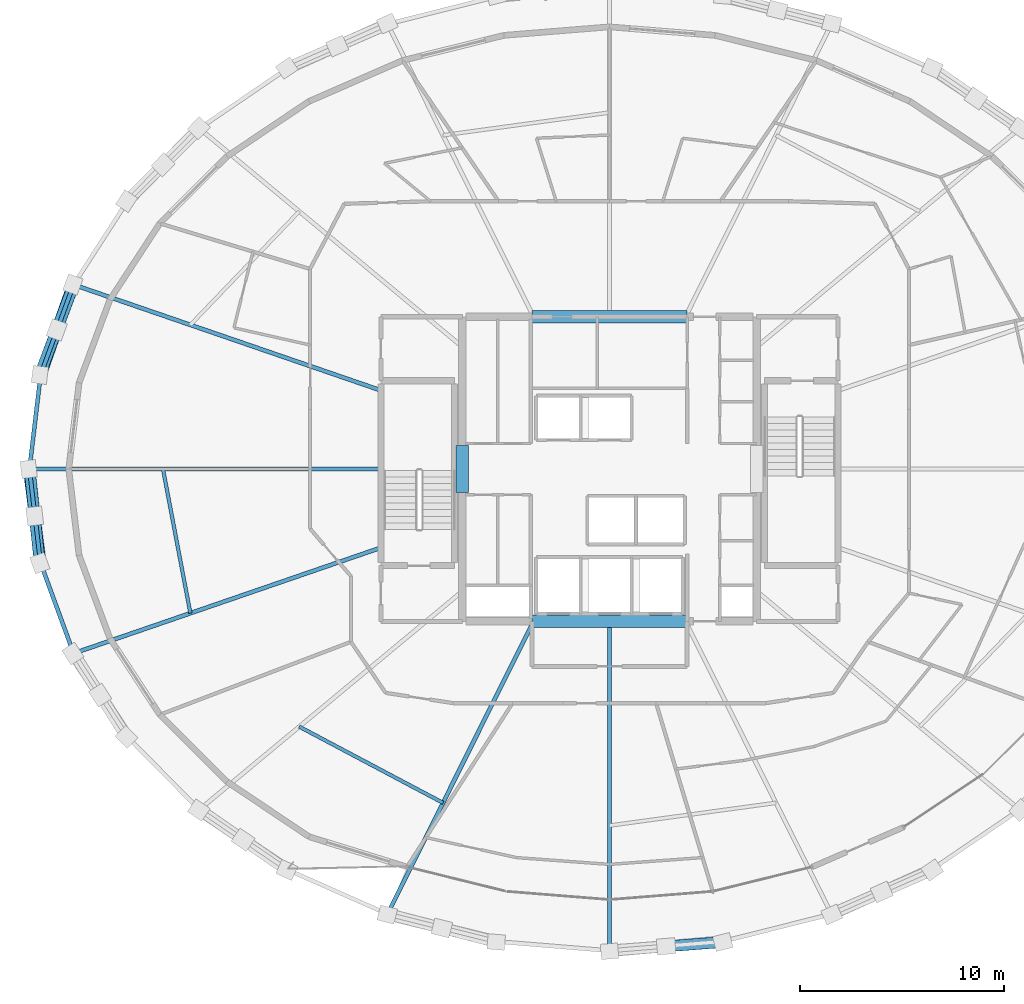
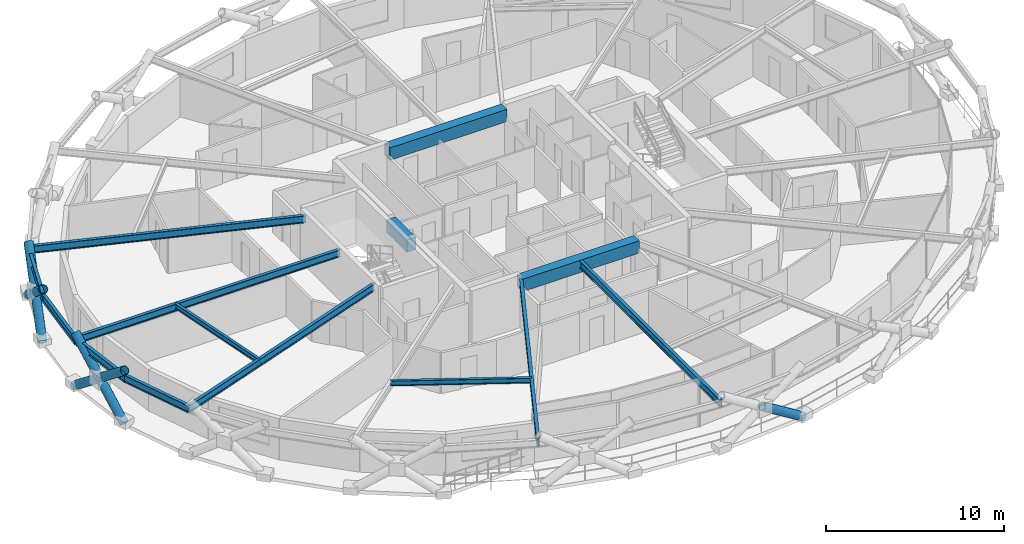
# One storey, part 3 of 21: 14 beams, 7 members.
"""IFC4 building model written with IfcOpenShell, lengths in metres."""

from ifc_helpers import new_model, si_unit, direction, frame, origin, origin_2d, place, context, subcontext, project, spatial, rectangle, hollow_circle, i_section, extrude, material, material_profile, profile_set, type_object, element, save


model = new_model("IFC4")

# Units and contexts
model_context = context("Model", 3, precision=1e-05, world=origin(), true_north=direction((0.0, 1.0)))
body_context = subcontext(model_context, "Body", "Model", "MODEL_VIEW")
ifc_project = project(units=[si_unit("LENGTHUNIT", "METRE"), si_unit("AREAUNIT", "SQUARE_METRE"), si_unit("VOLUMEUNIT", "CUBIC_METRE"), si_unit("PLANEANGLEUNIT", "RADIAN"), si_unit("MASSUNIT", "GRAM", prefix="KILO")], contexts=[model_context])

# Site, building, storey
site_placement = place(None, origin())
site = spatial("IfcSite", under=ifc_project, at=site_placement, CompositionType="ELEMENT")
building_placement = place(site_placement, origin())
building = spatial("IfcBuilding", under=site, at=building_placement, Name="Veldorina Hangang Commons", CompositionType="ELEMENT")
storey_placement = place(building_placement, frame((0.0, 0.0, 142.39990234375)))
storey = spatial("IfcBuildingStorey", under=building, at=storey_placement, Name="L36", CompositionType="ELEMENT", Elevation=142.39990234375)

# Beams
ifc_material_1 = material(Name="Concrete C60/75", Category="concrete")
ifc_material_profile_1 = material_profile(ifc_material_1, rectangle(XDim=0.60009765625, YDim=0.85009765625, at=origin_2d()), Name="RC-CB-600x850")
ifc_profile_set_1 = profile_set([ifc_material_profile_1], Name="Concrete C60/75")
beam_type_1 = type_object("IfcBeamType", Name="BM-CB850", PredefinedType="LINTEL", material=ifc_profile_set_1)
beam_1_placement = place(storey_placement, frame((24.800048828125, 22.85009765625, 2.925048828125), z_axis=(0.0, 1.0, 0.0), x_axis=(-1.0, 0.0, 0.0)))
element("IfcBeam", 1, at=beam_1_placement, inside=storey, type_object=beam_type_1, Name="L36 W core coupling lintel beam", PredefinedType="LINTEL", context=body_context, shape_type="SweptSolid", body=[
    extrude(rectangle(XDim=0.60009765625, YDim=0.85009765625, at=origin_2d()), origin(), (0.0, 0.0, 1.0), 2.2998046875),
])
for number, where, z_axis, x_axis, name in (
    (2, (28.199951171875, 16.550048828125, 2.925048828125), (1.0, 0.0, 0.0), (0.0, 1.0, 0.0), "L36 south core coupling beam"),
    (3, (28.199951171875, 31.449951171875, 2.925048828125), (1.0, 0.0, 0.0), (0.0, 1.0, 0.0), "L36 north core coupling beam"),
):
    element("IfcBeam", number, at=place(storey_placement, frame(where, z_axis=z_axis, x_axis=x_axis)), inside=storey, type_object=beam_type_1, Name=name, PredefinedType="LINTEL", context=body_context, shape_type="SweptSolid", body=[
        extrude(rectangle(XDim=0.60009765625, YDim=0.85009765625, at=origin_2d()), origin(), (0.0, 0.0, 1.0), 7.60009765625),
    ])
ifc_material_2 = material(Name="Steel SM420-TMC", Category="steel")
ifc_material_profile_2 = material_profile(ifc_material_2, i_section(OverallWidth=0.199951171875, OverallDepth=0.5, WebThickness=0.010009765625, FlangeThickness=0.01611328125, FilletRadius=0.01611328125, at=origin_2d()), Name="H-500x200x10x16")
ifc_profile_set_2 = profile_set([ifc_material_profile_2], Name="Steel SM420-TMC")
beam_type_2 = type_object("IfcBeamType", Name="BM-FG500", PredefinedType="BEAM", material=ifc_profile_set_2)
beam_2_placement = place(storey_placement, frame((20.820068359375, 27.845458984375, 3.10009765625), z_axis=(-0.945627878176, 0.325250543453, 0.0), x_axis=(-0.325250543453, -0.945627878176, 0.0)))
element("IfcBeam", 4, at=beam_2_placement, inside=storey, type_object=beam_type_2, Name="L36 radial floor girder 08", PredefinedType="BEAM", context=body_context, shape_type="SweptSolid", body=[
    extrude(i_section(OverallWidth=0.199951171875, OverallDepth=0.5, WebThickness=0.010009765625, FlangeThickness=0.01611328125, FilletRadius=0.01611328125, at=origin_2d()), origin(), (0.0, 0.0, 1.0), 15.901123046875),
])
beam_3_placement = place(storey_placement, frame((20.820068359375, 24.0, 3.10009765625), z_axis=(-1.0, 0.0, 0.0), x_axis=(0.0, -1.0, 0.0)))
element("IfcBeam", 5, at=beam_3_placement, inside=storey, type_object=beam_type_2, Name="L36 radial floor girder 09", PredefinedType="BEAM", context=body_context, shape_type="SweptSolid", body=[
    extrude(i_section(OverallWidth=0.199951171875, OverallDepth=0.5, WebThickness=0.010009765625, FlangeThickness=0.01611328125, FilletRadius=0.01611328125, at=origin_2d()), origin(), (0.0, 0.0, 1.0), 17.19677734375),
])
beam_4_placement = place(storey_placement, frame((20.820068359375, 20.154541015625, 3.10009765625), z_axis=(-0.945627878176, -0.325250543453, 0.0), x_axis=(0.325250543453, -0.945627878176, 0.0)))
element("IfcBeam", 6, at=beam_4_placement, inside=storey, type_object=beam_type_2, Name="L36 radial floor girder 10", PredefinedType="BEAM", context=body_context, shape_type="SweptSolid", body=[
    extrude(i_section(OverallWidth=0.199951171875, OverallDepth=0.5, WebThickness=0.010009765625, FlangeThickness=0.01611328125, FilletRadius=0.01611328125, at=origin_2d()), origin(), (0.0, 0.0, 1.0), 15.901123046875),
])
beam_5_placement = place(storey_placement, frame((28.28369140625, 16.550048828125, 3.10009765625), z_axis=(-0.44635293446, -0.894857004162, 0.0), x_axis=(0.894857004162, -0.44635293446, 0.0)))
element("IfcBeam", 7, at=beam_5_placement, inside=storey, type_object=beam_type_2, Name="L36 radial floor girder 12", PredefinedType="BEAM", context=body_context, shape_type="SweptSolid", body=[
    extrude(i_section(OverallWidth=0.199951171875, OverallDepth=0.5, WebThickness=0.010009765625, FlangeThickness=0.01611328125, FilletRadius=0.01611328125, at=origin_2d()), origin(), (0.0, 0.0, 1.0), 16.002685546875),
])
beam_6_placement = place(storey_placement, frame((32.0, 16.550048828125, 3.10009765625), z_axis=(0.0, -1.0, 0.0), x_axis=(1.0, 0.0, 0.0)))
element("IfcBeam", 8, at=beam_6_placement, inside=storey, type_object=beam_type_2, Name="L36 radial floor girder 13", PredefinedType="BEAM", context=body_context, shape_type="SweptSolid", body=[
    extrude(i_section(OverallWidth=0.199951171875, OverallDepth=0.5, WebThickness=0.010009765625, FlangeThickness=0.01611328125, FilletRadius=0.01611328125, at=origin_2d()), origin(), (0.0, 0.0, 1.0), 16.11376953125),
])
ifc_material_3 = material(Name="Steel SM355-TMC", Category="steel")
ifc_material_profile_3 = material_profile(ifc_material_3, i_section(OverallWidth=0.175048828125, OverallDepth=0.35009765625, WebThickness=0.007080078125, FlangeThickness=0.010986328125, FilletRadius=0.012939453125, at=origin_2d()), Name="H-350x175x7x11")
ifc_profile_set_3 = profile_set([ifc_material_profile_3], Name="Steel SM355-TMC")
beam_type_3 = type_object("IfcBeamType", Name="BM-JST350", PredefinedType="JOIST", material=ifc_profile_set_3)
beam_7_placement = place(storey_placement, frame((10.158203125, 24.0, 3.175048828125), z_axis=(0.186557239119, -0.982444093337, 0.0), x_axis=(0.982444093337, 0.186557239119, 0.0)))
element("IfcBeam", 9, at=beam_7_placement, inside=storey, type_object=beam_type_3, Name="L36 secondary floor joist 09", PredefinedType="JOIST", context=body_context, shape_type="SweptSolid", body=[
    extrude(i_section(OverallWidth=0.175048828125, OverallDepth=0.35009765625, WebThickness=0.007080078125, FlangeThickness=0.010986328125, FilletRadius=0.012939453125, at=origin_2d()), origin(), (0.0, 0.0, 1.0), 7.177978515625),
])
beam_8_placement = place(storey_placement, frame((16.823486328125, 11.397705078125, 3.175048828125), z_axis=(0.883605014655, -0.468233038216, 0.0), x_axis=(0.468233038216, 0.883605014655, 0.0)))
element("IfcBeam", 10, at=beam_8_placement, inside=storey, type_object=beam_type_3, Name="L36 secondary floor joist 11", PredefinedType="JOIST", context=body_context, shape_type="SweptSolid", body=[
    extrude(i_section(OverallWidth=0.175048828125, OverallDepth=0.35009765625, WebThickness=0.007080078125, FlangeThickness=0.010986328125, FilletRadius=0.012939453125, at=origin_2d()), origin(), (0.0, 0.0, 1.0), 7.957763671875),
])
ifc_material_profile_4 = material_profile(ifc_material_2, i_section(OverallWidth=0.199951171875, OverallDepth=0.5, WebThickness=0.010009765625, FlangeThickness=0.01611328125, FilletRadius=0.01611328125, at=origin_2d()), Name="H-500x200x10x16")
ifc_profile_set_4 = profile_set([ifc_material_profile_4], Name="Steel SM420-TMC")
beam_type_4 = type_object("IfcBeamType", Name="BM-RB500", PredefinedType="BEAM", material=ifc_profile_set_4)
beam_9_placement = place(storey_placement, frame((5.783447265625, 33.017333984375, 3.10009765625), z_axis=(-0.34311725986, -0.939292577415, 0.0), x_axis=(0.939292577415, -0.34311725986, 0.0)))
element("IfcBeam", 11, at=beam_9_placement, inside=storey, type_object=beam_type_4, Name="L36 perimeter hoop ring beam 14", PredefinedType="BEAM", context=body_context, shape_type="SweptSolid", body=[
    extrude(i_section(OverallWidth=0.199951171875, OverallDepth=0.5, WebThickness=0.010009765625, FlangeThickness=0.01611328125, FilletRadius=0.01611328125, at=origin_2d()), origin(), (0.0, 0.0, 1.0), 4.7060546875),
])
for number, where, z_axis, x_axis, name in (
    (12, (4.168701171875, 28.596923828125, 3.10009765625), (-0.117820384331, -0.993034922365, 0.0), (0.993034922365, -0.117820384331, 0.0), "L36 perimeter hoop ring beam 15"),
    (13, (3.623291015625, 24.0, 3.10009765625), (0.117820384331, -0.993034922365, 0.0), (0.993034922365, 0.117820384331, 0.0), "L36 perimeter hoop ring beam 16"),
):
    element("IfcBeam", number, at=place(storey_placement, frame(where, z_axis=z_axis, x_axis=x_axis)), inside=storey, type_object=beam_type_4, Name=name, PredefinedType="BEAM", context=body_context, shape_type="SweptSolid", body=[
        extrude(i_section(OverallWidth=0.199951171875, OverallDepth=0.5, WebThickness=0.010009765625, FlangeThickness=0.01611328125, FilletRadius=0.01611328125, at=origin_2d()), origin(), (0.0, 0.0, 1.0), 4.629150390625),
    ])
beam_10_placement = place(storey_placement, frame((4.168701171875, 19.403076171875, 3.10009765625), z_axis=(0.34311725986, -0.939292577415, 0.0), x_axis=(0.939292577415, 0.34311725986, 0.0)))
element("IfcBeam", 14, at=beam_10_placement, inside=storey, type_object=beam_type_4, Name="L36 perimeter hoop ring beam 17", PredefinedType="BEAM", context=body_context, shape_type="SweptSolid", body=[
    extrude(i_section(OverallWidth=0.199951171875, OverallDepth=0.5, WebThickness=0.010009765625, FlangeThickness=0.01611328125, FilletRadius=0.01611328125, at=origin_2d()), origin(), (0.0, 0.0, 1.0), 4.7060546875),
])

# Members
ifc_material_profile_5 = material_profile(ifc_material_2, hollow_circle(Radius=0.27490234375, WallThickness=0.028076171875, at=origin_2d()), Name="CHS-550x28")
ifc_profile_set_5 = profile_set([ifc_material_profile_5], Name="Steel SM420-TMC")
member_type = type_object("IfcMemberType", Name="DG-CHS550", PredefinedType="BRACE", material=ifc_profile_set_5)
member_1_placement = place(storey_placement, frame((5.748291015625, 33.027587890625, 0.0), z_axis=(-0.265725942148, -0.748245668001, 0.607880040788), x_axis=(0.942340625843, -0.33465526275, 0.0)))
element("IfcMember", 15, at=member_1_placement, inside=storey, type_object=member_type, Name="L36 continuous perimeter diagrid brace 14", PredefinedType="BRACE", context=body_context, shape_type="SweptSolid", body=[
    extrude(hollow_circle(Radius=0.27490234375, WallThickness=0.028076171875, at=origin_2d()), origin(), (0.0, 0.0, 1.0), 5.92236328125),
])
member_2_placement = place(storey_placement, frame((4.13134765625, 28.602294921875, 0.0), z_axis=(0.279526226261, 0.743977395615, 0.606928928002), x_axis=(-0.936107800988, 0.351713214038, 0.0)))
element("IfcMember", 16, at=member_2_placement, inside=storey, type_object=member_type, Name="L36 split perimeter diagrid lower brace 15", PredefinedType="BRACE", context=body_context, shape_type="SweptSolid", body=[
    extrude(hollow_circle(Radius=0.27490234375, WallThickness=0.028076171875, at=origin_2d()), origin(), (0.0, 0.0, 1.0), 2.9677734375),
])
member_3_placement = place(storey_placement, frame((4.9609375, 30.810302734375, 1.80126953125), z_axis=(0.279381666429, 0.744084308526, 0.606864421654), x_axis=(-0.936184301282, 0.351509536191, 0.0)))
element("IfcMember", 17, at=member_3_placement, inside=storey, type_object=member_type, Name="L36 split perimeter diagrid upper brace 15", PredefinedType="BRACE", context=body_context, shape_type="SweptSolid", body=[
    extrude(hollow_circle(Radius=0.27490234375, WallThickness=0.028076171875, at=origin_2d()), origin(), (0.0, 0.0, 1.0), 2.964111328125),
])
member_4_placement = place(storey_placement, frame((3.58544921875, 24.0, 0.0), z_axis=(0.100394897521, -0.783271587539, 0.613519750869), x_axis=(0.991885583365, 0.127133746556, 0.0)))
element("IfcMember", 18, at=member_4_placement, inside=storey, type_object=member_type, Name="L36 continuous perimeter diagrid brace 16", PredefinedType="BRACE", context=body_context, shape_type="SweptSolid", body=[
    extrude(hollow_circle(Radius=0.27490234375, WallThickness=0.028076171875, at=origin_2d()), origin(), (0.0, 0.0, 1.0), 5.867919921875),
])
member_5_placement = place(storey_placement, frame((4.13134765625, 19.397705078125, 0.0), z_axis=(-0.085614447353, 0.784757499938, 0.613861411635), x_axis=(-0.994101556814, -0.108453191472, 0.0)))
element("IfcMember", 19, at=member_5_placement, inside=storey, type_object=member_type, Name="L36 split perimeter diagrid lower brace 17", PredefinedType="BRACE", context=body_context, shape_type="SweptSolid", body=[
    extrude(hollow_circle(Radius=0.27490234375, WallThickness=0.028076171875, at=origin_2d()), origin(), (0.0, 0.0, 1.0), 2.934326171875),
])
member_6_placement = place(storey_placement, frame((3.880126953125, 21.700439453125, 1.80126953125), z_axis=(-0.085565593978, 0.784753972425, 0.61387273265), x_axis=(-0.994108174583, -0.10839251463, 0.0)))
element("IfcMember", 20, at=member_6_placement, inside=storey, type_object=member_type, Name="L36 split perimeter diagrid upper brace 17", PredefinedType="BRACE", context=body_context, shape_type="SweptSolid", body=[
    extrude(hollow_circle(Radius=0.27490234375, WallThickness=0.028076171875, at=origin_2d()), origin(), (0.0, 0.0, 1.0), 2.93017578125),
])
member_7_placement = place(storey_placement, frame((37.54345703125, 0.863037109375, 0.0), z_axis=(-0.836947914522, -0.063791312619, 0.543552073689), x_axis=(0.07599854481, -0.997107928555, 0.0)))
element("IfcMember", 21, at=member_7_placement, inside=storey, type_object=member_type, Name="L36 split perimeter diagrid lower brace 25", PredefinedType="BRACE", context=body_context, shape_type="SweptSolid", body=[
    extrude(hollow_circle(Radius=0.27490234375, WallThickness=0.028076171875, at=origin_2d()), origin(), (0.0, 0.0, 1.0), 3.314453125),
])

save(model, "model.ifc")
